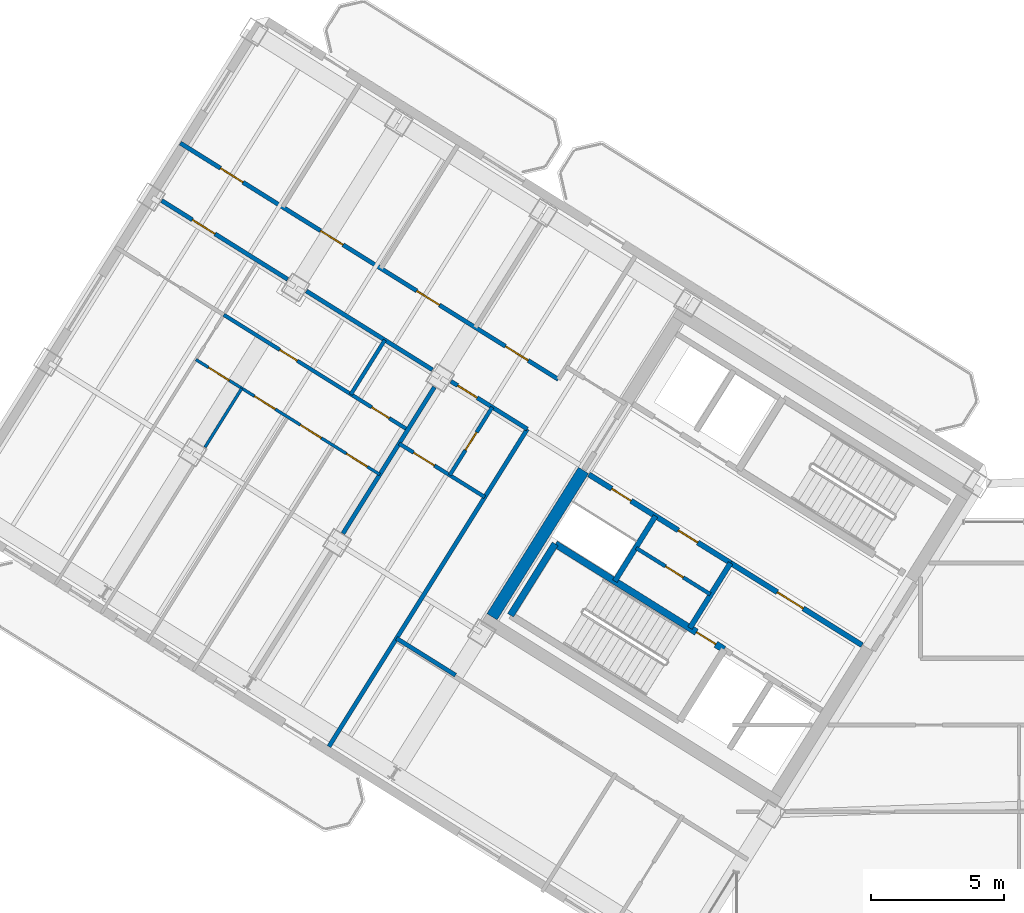
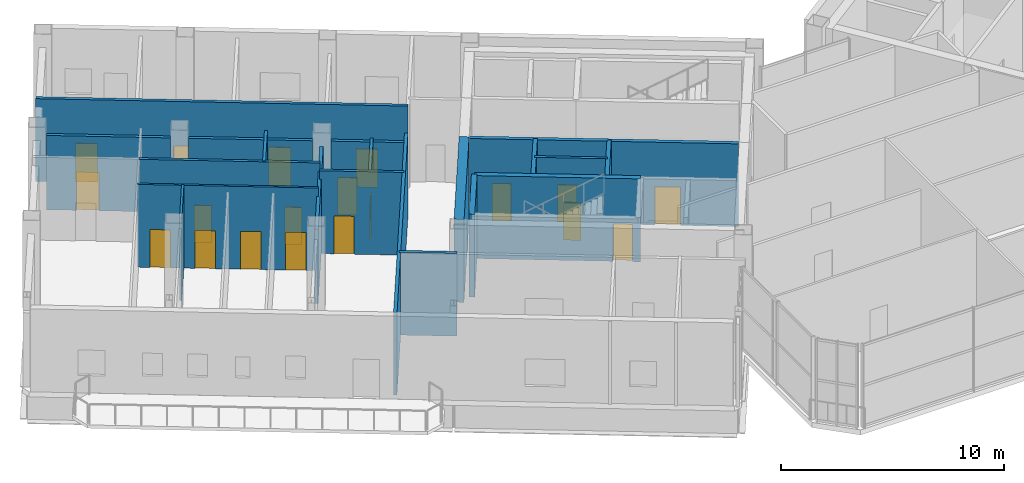
# One storey, part 17 of 26: 21 walls, 19 doors, 19 openings.
"""IFC4 building model written with IfcOpenShell, lengths in metres."""

import ifcopenshell
import ifcopenshell.guid

model = None  # the IFC model being written
_history = None  # IfcOwnerHistory: only IFC2X3 demands one
_inside = {}  # id of a spatial element -> (the spatial element, [elements in it])
_under = {}  # id of a project, library or spatial element -> (it, [spatial elements below it])
_declared = {}  # id of a project -> (the project, [libraries it declares])
_typed = {}  # id of a type object -> (the type object, [elements of that type])
_made_of = {}  # id of a material, layer set ... -> (it, [elements and type objects made of it])


def new_model(schema):
    """Start an empty IFC model of exactly this schema.

    Asked for "IFC4X3", IfcOpenShell would pick the latest addendum, in which some entities
    have other attributes; the version numbers below select the first issue.
    IFC2X3 requires an IfcOwnerHistory on every rooted entity: one is made here for all.
    """
    global model, _history
    if schema == "IFC4X3":
        model = ifcopenshell.file(schema_version=(4, 3, 0, 0))
    else:
        model = ifcopenshell.file(schema=schema)
    _inside.clear()
    _under.clear()
    _declared.clear()
    _typed.clear()
    _made_of.clear()
    _history = None
    if model.schema == "IFC2X3":
        org = make("IfcOrganization", Name="unknown")
        user = make(
            "IfcPersonAndOrganization",
            ThePerson=make("IfcPerson", FamilyName="unknown"),
            TheOrganization=org,
        )
        app = make(
            "IfcApplication",
            ApplicationDeveloper=org,
            Version="unknown",
            ApplicationFullName="unknown",
            ApplicationIdentifier="unknown",
        )
        _history = make(
            "IfcOwnerHistory",
            OwningUser=user,
            OwningApplication=app,
            ChangeAction="ADDED",
            CreationDate=0,
        )
    return model


def make(cls, **values):
    """One entity of the class cls with the attributes given. An attribute that is None is left unset."""
    return model.create_entity(
        cls, **{name: value for name, value in values.items() if value is not None}
    )


def rooted(cls, **values):
    """An entity with a GlobalId (a new one), such as an element, a storey or a relation."""
    return make(cls, GlobalId=ifcopenshell.guid.new(), OwnerHistory=_history, **values)


def si_unit(unit_type, name, prefix=None):
    """IfcSIUnit, for example si_unit("LENGTHUNIT", "METRE", prefix="MILLI")."""
    return make("IfcSIUnit", UnitType=unit_type, Prefix=prefix, Name=name)


def assignment(units):
    """IfcUnitAssignment: the units of a project."""
    return None if units is None else make("IfcUnitAssignment", Units=units)


def point(xyz):
    """IfcCartesianPoint."""
    return None if xyz is None else make("IfcCartesianPoint", Coordinates=xyz)


def direction(xyz):
    """IfcDirection."""
    return None if xyz is None else make("IfcDirection", DirectionRatios=xyz)


def frame(location, z_axis=None, x_axis=None):
    """IfcAxis2Placement3D, a coordinate frame: its origin and axes. An axis left out is left unset."""
    return make(
        "IfcAxis2Placement3D",
        Location=point(location),
        Axis=direction(z_axis),
        RefDirection=direction(x_axis),
    )


def frame_2d(location, x_axis=None):
    """IfcAxis2Placement2D, a coordinate frame in the plane: its origin and x axis."""
    return make(
        "IfcAxis2Placement2D", Location=point(location), RefDirection=direction(x_axis)
    )


def origin():
    """The frame at (0, 0, 0) with its axes left unset."""
    return frame((0.0, 0.0, 0.0))


def place(relative_to, where):
    """IfcLocalPlacement: puts the frame where relative to a parent placement (None: the world)."""
    return make(
        "IfcLocalPlacement", PlacementRelTo=relative_to, RelativePlacement=where
    )


def context(
    kind, dimensions, precision=None, world=None, true_north=None, identifier=None
):
    """IfcGeometricRepresentationContext, for example the 3D "Model" context."""
    return make(
        "IfcGeometricRepresentationContext",
        ContextIdentifier=identifier,
        ContextType=kind,
        CoordinateSpaceDimension=dimensions,
        Precision=precision,
        WorldCoordinateSystem=world,
        TrueNorth=true_north,
    )


def subcontext(parent, identifier, kind, view, scale=None):
    """IfcGeometricRepresentationSubContext, for example "Body" below "Model"."""
    return make(
        "IfcGeometricRepresentationSubContext",
        ContextIdentifier=identifier,
        ContextType=kind,
        ParentContext=parent,
        TargetScale=scale,
        TargetView=view,
    )


def project(units=None, contexts=None):
    """IfcProject with its units and contexts."""
    return rooted(
        "IfcProject",
        Name="project",
        RepresentationContexts=contexts,
        UnitsInContext=assignment(units),
    )


def spatial(cls, under=None, at=None, **own):
    """A site, building, storey or space (cls), placed at a placement, below another one or the project."""
    s = rooted(cls, ObjectPlacement=at, **own)
    if under is not None:
        _under.setdefault(under.id(), (under, []))[1].append(s)
    return s


def profile(cls, at=None, kind="AREA", **sizes):
    """A parametric profile (cls). Its sizes go by their IFC names, for example OverallWidth=200.0."""
    return make(cls, ProfileType=kind, Position=at, **sizes)


def rectangle(**sizes):
    """IfcRectangleProfileDef."""
    return profile("IfcRectangleProfileDef", **sizes)


def extrude(swept, where, along, depth):
    """IfcExtrudedAreaSolid: the profile swept, set in the frame where, extruded along a direction by depth."""
    return make(
        "IfcExtrudedAreaSolid",
        SweptArea=swept,
        Position=where,
        ExtrudedDirection=direction(along),
        Depth=depth,
    )


def shape(context_of_items, identifier, shape_type, items):
    """IfcShapeRepresentation: the items that make up one representation, for example the "Body"."""
    return make(
        "IfcShapeRepresentation",
        ContextOfItems=context_of_items,
        RepresentationIdentifier=identifier,
        RepresentationType=shape_type,
        Items=items,
    )


def source(mapping_origin, context_of_items, identifier, shape_type, items):
    """IfcRepresentationMap: a shape defined once, which mapped items show again and again."""
    return make(
        "IfcRepresentationMap",
        MappingOrigin=mapping_origin,
        MappedRepresentation=shape(context_of_items, identifier, shape_type, items),
    )


def transform(
    local_origin,
    x_axis=None,
    y_axis=None,
    z_axis=None,
    scale=None,
    scale2=None,
    scale3=None,
    uniform=True,
):
    """IfcCartesianTransformationOperator3D, or its non-uniform kind. x_axis, y_axis, z_axis: its Axis1, 2, 3."""
    if uniform:
        return make(
            "IfcCartesianTransformationOperator3D",
            Axis1=direction(x_axis),
            Axis2=direction(y_axis),
            LocalOrigin=point(local_origin),
            Scale=scale,
            Axis3=direction(z_axis),
        )
    return make(
        "IfcCartesianTransformationOperator3DnonUniform",
        Axis1=direction(x_axis),
        Axis2=direction(y_axis),
        LocalOrigin=point(local_origin),
        Scale=scale,
        Axis3=direction(z_axis),
        Scale2=scale2,
        Scale3=scale3,
    )


def mapped(mapping_source, mapping_target):
    """IfcMappedItem: shows the shape of a source again, moved by a transform."""
    return make(
        "IfcMappedItem", MappingSource=mapping_source, MappingTarget=mapping_target
    )


def material(Name=None, Category=None):
    """IfcMaterial."""
    return make("IfcMaterial", Name=Name, Category=Category)


def layer(
    of_material, thickness, ventilated=None, Name=None, Category=None, Priority=None
):
    """IfcMaterialLayer: one layer of a wall or slab, of a material (None: an air gap)."""
    return make(
        "IfcMaterialLayer",
        Material=of_material,
        LayerThickness=thickness,
        IsVentilated=ventilated,
        Name=Name,
        Category=Category,
        Priority=Priority,
    )


def layer_set(layers, Name=None):
    """IfcMaterialLayerSet."""
    return make("IfcMaterialLayerSet", MaterialLayers=layers, LayerSetName=Name)


def made_of(thing, what):
    """Note that an element or type object is made of a material, layer set ...; save() writes the relation."""
    if what is not None:
        _made_of.setdefault(what.id(), (what, []))[1].append(thing)
    return thing


def type_object(cls, material=None, **own):
    """A type object (cls), such as IfcWallType, which elements share."""
    return made_of(rooted(cls, **own), material)


def element(
    cls,
    number,
    at=None,
    inside=None,
    cuts=None,
    type_object=None,
    material=None,
    context=None,
    identifier="Body",
    shape_type=None,
    held_by="IfcProductDefinitionShape",
    body=None,
    shapes=None,
    **own,
):
    """One element of the class cls, such as IfcWall. Its Tag is "e" and its number.

    at: its placement. inside: the storey or other place that contains it. cuts: it is an
    opening in that element (IfcRelVoidsElement). A single representation is given by context,
    identifier, shape_type and body (its items); several are given by shapes. held_by: the class
    of the entity that holds the representations. save() writes the other relations.
    """
    e = rooted(cls, Tag="e%d" % number, ObjectPlacement=at, **own)
    if body is not None:
        shapes = [shape(context, identifier, shape_type, body)]
    if shapes is not None:
        e.Representation = make(held_by, Representations=shapes)
    if inside is not None:
        _inside.setdefault(inside.id(), (inside, []))[1].append(e)
    if cuts is not None:
        rooted(
            "IfcRelVoidsElement", RelatingBuildingElement=cuts, RelatedOpeningElement=e
        )
    if type_object is not None:
        _typed.setdefault(type_object.id(), (type_object, []))[1].append(e)
    return made_of(e, material)


def fill(opening, filler):
    """IfcRelFillsElement: the door or window that sits in an opening."""
    return rooted(
        "IfcRelFillsElement",
        RelatingOpeningElement=opening,
        RelatedBuildingElement=filler,
    )


def aggregate(whole, parts):
    """IfcRelAggregates: a whole, such as a stair, and the parts it consists of."""
    return rooted("IfcRelAggregates", RelatingObject=whole, RelatedObjects=parts)


def save(model, path):
    """Write the relations noted so far, then the file.

    IfcRelAggregates (storeys below a building ...), IfcRelContainedInSpatialStructure (elements
    in a storey), IfcRelDefinesByType, IfcRelAssociatesMaterial and IfcRelDeclares: one each for
    every whole, place, type object, material and project.
    """
    for whole, parts in _under.values():
        aggregate(whole, parts)
    for where, things in _inside.values():
        rooted(
            "IfcRelContainedInSpatialStructure",
            RelatedElements=things,
            RelatingStructure=where,
        )
    for kind, things in _typed.values():
        rooted("IfcRelDefinesByType", RelatedObjects=things, RelatingType=kind)
    for what, things in _made_of.values():
        rooted("IfcRelAssociatesMaterial", RelatedObjects=things, RelatingMaterial=what)
    for by, libraries in _declared.values():
        rooted("IfcRelDeclares", RelatingContext=by, RelatedDefinitions=libraries)
    model.write(path)


model = new_model("IFC4")

# Units and contexts
model_context = context("Model", 3, precision=1e-05, world=origin(), true_north=direction((0.0, 1.0)))
body_context = subcontext(model_context, "Body", "Model", "MODEL_VIEW")
ifc_project = project(units=[si_unit("LENGTHUNIT", "METRE"), si_unit("AREAUNIT", "SQUARE_METRE"), si_unit("VOLUMEUNIT", "CUBIC_METRE"), si_unit("PLANEANGLEUNIT", "RADIAN"), si_unit("MASSUNIT", "GRAM", prefix="KILO")], contexts=[model_context])

# Site, building, storey
site_placement = place(None, origin())
site = spatial("IfcSite", under=ifc_project, at=site_placement, CompositionType="ELEMENT")
building_placement = place(site_placement, origin())
building = spatial("IfcBuilding", under=site, at=building_placement, Name="Tlacorven Tower", CompositionType="ELEMENT")
storey_placement = place(building_placement, frame((0.0, 0.0, 233.699951171875)))
storey = spatial("IfcBuildingStorey", under=building, at=storey_placement, Name="L59", CompositionType="ELEMENT", Elevation=233.699951171875)

# Walls
ifc_material_1 = material(Name="Concrete C50/60", Category="concrete")
ifc_layer_1 = layer(ifc_material_1, 0.449951171875)
ifc_layer_set_1 = layer_set([ifc_layer_1], Name="Concrete C50/60")
wall_type_1 = type_object("IfcWallType", Name="WL-COR-450", PredefinedType="SHEAR", material=ifc_layer_set_1)
wall_1_placement = place(storey_placement, frame((26.006591796875, 24.975830078125, 0.0), z_axis=(0.0, 0.0, 1.0), x_axis=(-0.529931155655, -0.848040665456, 0.0)))
element("IfcWall", 1, at=wall_1_placement, inside=storey, type_object=wall_type_1, Name="L59 W core end wall E2.2", PredefinedType="SHEAR", context=body_context, shape_type="SweptSolid", body=[
    extrude(rectangle(XDim=6.47509765625, YDim=0.449951171875, at=frame_2d((3.237548828125, 0.0))), origin(), (0.0, 0.0, 1.0), 4.550048828125),
])
ifc_material_2 = material(Name="Gypsum plasterboard acoustic partition", Category="gypsum")
ifc_layer_2 = layer(ifc_material_2, 0.159912109375)
ifc_layer_set_2 = layer_set([ifc_layer_2], Name="Gypsum plasterboard acoustic partition")
wall_type_2 = type_object("IfcWallType", Name="WL-DEM-160", PredefinedType="PARTITIONING", material=ifc_layer_set_2)
wall_2_placement = place(storey_placement, frame((21.20556640625, 17.29248046875, 0.0), z_axis=(0.0, 0.0, 1.0), x_axis=(-0.848050851465, 0.529914854792, 0.0)))
element("IfcWall", 2, at=wall_2_placement, inside=storey, type_object=wall_type_2, Name="L59 partition 40", PredefinedType="PARTITIONING", context=body_context, shape_type="SweptSolid", body=[
    extrude(rectangle(XDim=2.60986328125, YDim=0.159912109375, at=frame_2d((1.304931640625, 0.0))), origin(), (0.0, 0.0, 1.0), 4.5400390625),
])
wall_3_placement = place(storey_placement, frame((23.899169921875, 26.528564453125, 0.0), z_axis=(0.0, 0.0, 1.0), x_axis=(-0.529917716469, -0.848049063305, 0.0)))
element("IfcWall", 3, at=wall_3_placement, inside=storey, type_object=wall_type_2, Name="L59 partition 42", PredefinedType="PARTITIONING", context=body_context, shape_type="SweptSolid", body=[
    extrude(rectangle(XDim=14.050048828125, YDim=0.159912109375, at=frame_2d((7.02490234375, 0.0))), origin(), (0.0, 0.0, 1.0), 4.5400390625),
])

# Wall, openings, doors
wall_4_placement = place(storey_placement, frame((25.06494140625, 28.394287109375, 0.0), z_axis=(0.0, 0.0, 1.0), x_axis=(-0.848048310262, 0.529918921593, 0.0)))
wall_4 = element("IfcWall", 4, at=wall_4_placement, inside=storey, type_object=wall_type_2, Name="L59 Wing W Corridor South Wall", PredefinedType="PARTITIONING", context=body_context, shape_type="SweptSolid", body=[
    extrude(rectangle(XDim=16.72998046875, YDim=0.159912109375, at=frame_2d((8.364990234375, 0.0))), origin(), (0.0, 0.0, 1.0), 4.5400390625),
])
opening_1_placement = place(wall_4_placement, frame((1.337890625, 0.0, 0.0)))
opening_1 = element("IfcOpeningElement", 5, at=opening_1_placement, cuts=wall_4, Name="Opening D11", PredefinedType="OPENING", context=body_context, shape_type="SweptSolid", body=[
    extrude(rectangle(XDim=1.0, YDim=2.10009765625, at=frame_2d((0.5, 1.050048828125))), frame((0.0, 0.08984375, 0.0), z_axis=(0.0, -1.0, 0.0), x_axis=(1.0, 0.0, 0.0)), (0.0, 0.0, 1.0), 0.179931640625),
])
opening_2_placement = place(wall_4_placement, frame((5.264892578125, 0.0, 0.0)))
opening_2 = element("IfcOpeningElement", 6, at=opening_2_placement, cuts=wall_4, Name="Opening D11", PredefinedType="OPENING", context=body_context, shape_type="SweptSolid", body=[
    extrude(rectangle(XDim=1.0, YDim=2.10009765625, at=frame_2d((0.5, 1.050048828125))), frame((0.0, 0.08984375, 0.0), z_axis=(0.0, -1.0, 0.0), x_axis=(1.0, 0.0, 0.0)), (0.0, 0.0, 1.0), 0.179931640625),
])
opening_3_placement = place(wall_4_placement, frame((9.52587890625, 0.0, 0.0)))
opening_3 = element("IfcOpeningElement", 7, at=opening_3_placement, cuts=wall_4, Name="Opening D11", PredefinedType="OPENING", context=body_context, shape_type="SweptSolid", body=[
    extrude(rectangle(XDim=1.0, YDim=2.10009765625, at=frame_2d((0.5, 1.050048828125))), frame((0.0, 0.08984375, 0.0), z_axis=(0.0, -1.0, 0.0), x_axis=(1.0, 0.0, 0.0)), (0.0, 0.0, 1.0), 0.179931640625),
])
opening_4_placement = place(wall_4_placement, frame((13.9541015625, 0.0, 0.0)))
opening_4 = element("IfcOpeningElement", 8, at=opening_4_placement, cuts=wall_4, Name="Opening D11", PredefinedType="OPENING", context=body_context, shape_type="SweptSolid", body=[
    extrude(rectangle(XDim=1.0, YDim=2.10009765625, at=frame_2d((0.5, 1.050048828125))), frame((0.0, 0.08984375, 0.0), z_axis=(0.0, -1.0, 0.0), x_axis=(1.0, 0.0, 0.0)), (0.0, 0.0, 1.0), 0.179931640625),
])
ifc_material_3 = material(Name="Fire-rated steel door assembly", Category="steel")
door_type_1 = type_object("IfcDoorType", Name="DR-FLT-FD60-1000", OperationType="NOTDEFINED", PredefinedType="DOOR", material=ifc_material_3)
shared_shape_1 = source(origin(), body_context, "Body", "SweptSolid", [
    extrude(rectangle(XDim=1.0, YDim=2.10009765625, at=frame_2d((0.5, 1.050048828125))), frame((0.0, 0.02490234375, 0.0), z_axis=(0.0, -1.0, 0.0), x_axis=(1.0, 0.0, 0.0)), (0.0, 0.0, 1.0), 0.050048828125),
])
door_1_placement = place(opening_1_placement, frame((1.0, 0.0, 0.0), z_axis=(0.0, 0.0, 1.0), x_axis=(-1.0, 0.0, 0.0)))
door_1 = element("IfcDoor", 9, at=door_1_placement, inside=storey, type_object=door_type_1, Name="L59 door 037", OperationType="SINGLE_SWING_LEFT", OverallHeight=2.10009765625, OverallWidth=1.0, PredefinedType="DOOR", context=body_context, shape_type="MappedRepresentation", body=[
    mapped(shared_shape_1, transform((0.0, 0.0, 0.0), scale=1.0)),
])
fill(opening_1, door_1)
door_2_placement = place(opening_2_placement, frame((1.0, 0.0, 0.0), z_axis=(0.0, 0.0, 1.0), x_axis=(-1.0, 0.0, 0.0)))
door_2 = element("IfcDoor", 10, at=door_2_placement, inside=storey, type_object=door_type_1, Name="L59 door 038", OperationType="SINGLE_SWING_RIGHT", OverallHeight=2.10009765625, OverallWidth=1.0, PredefinedType="DOOR", context=body_context, shape_type="MappedRepresentation", body=[
    mapped(shared_shape_1, transform((0.0, 0.0, 0.0), scale=1.0)),
])
fill(opening_2, door_2)
door_3_placement = place(opening_3_placement, frame((1.0, 0.0, 0.0), z_axis=(0.0, 0.0, 1.0), x_axis=(-1.0, 0.0, 0.0)))
door_3 = element("IfcDoor", 11, at=door_3_placement, inside=storey, type_object=door_type_1, Name="L59 door 039", OperationType="SINGLE_SWING_LEFT", OverallHeight=2.10009765625, OverallWidth=1.0, PredefinedType="DOOR", context=body_context, shape_type="MappedRepresentation", body=[
    mapped(shared_shape_1, transform((0.0, 0.0, 0.0), scale=1.0)),
])
fill(opening_3, door_3)
door_4_placement = place(opening_4_placement, frame((1.0, 0.0, 0.0), z_axis=(0.0, 0.0, 1.0), x_axis=(-1.0, 0.0, 0.0)))
door_4 = element("IfcDoor", 12, at=door_4_placement, inside=storey, type_object=door_type_1, Name="L59 door 040", OperationType="SINGLE_SWING_RIGHT", OverallHeight=2.10009765625, OverallWidth=1.0, PredefinedType="DOOR", context=body_context, shape_type="MappedRepresentation", body=[
    mapped(shared_shape_1, transform((0.0, 0.0, 0.0), scale=1.0)),
])
fill(opening_4, door_4)

# Wall, opening, door
wall_5_placement = place(storey_placement, frame((23.899169921875, 26.528564453125, 0.0), z_axis=(0.0, 0.0, 1.0), x_axis=(-0.848055143312, 0.529907986259, 0.0)))
wall_5 = element("IfcWall", 13, at=wall_5_placement, inside=storey, type_object=wall_type_2, Name="L59 Wing W Corridor North Wall", PredefinedType="PARTITIONING", context=body_context, shape_type="SweptSolid", body=[
    extrude(rectangle(XDim=3.3779296875, YDim=0.159912109375, at=frame_2d((1.68896484375, 0.0))), origin(), (0.0, 0.0, 1.0), 4.074951171875),
])
opening_5_placement = place(wall_5_placement, frame((2.219970703125, 0.0, 0.0)))
opening_5 = element("IfcOpeningElement", 14, at=opening_5_placement, cuts=wall_5, Name="Opening D19", PredefinedType="OPENING", context=body_context, shape_type="SweptSolid", body=[
    extrude(rectangle(XDim=0.860107421875, YDim=2.050048828125, at=frame_2d((0.43017578125, 1.02490234375))), frame((0.0, 0.08984375, 0.0), z_axis=(0.0, -1.0, 0.0), x_axis=(1.0, 0.0, 0.0)), (0.0, 0.0, 1.0), 0.179931640625),
])
door_type_2 = type_object("IfcDoorType", Name="DR-RSR-FD60-0860", OperationType="NOTDEFINED", PredefinedType="DOOR", material=ifc_material_3)
shared_shape_2 = source(origin(), body_context, "Body", "SweptSolid", [
    extrude(rectangle(XDim=0.860107421875, YDim=2.050048828125, at=frame_2d((0.43017578125, 1.02490234375))), frame((0.0, 0.02490234375, 0.0), z_axis=(0.0, -1.0, 0.0), x_axis=(1.0, 0.0, 0.0)), (0.0, 0.0, 1.0), 0.050048828125),
])
door_5_placement = place(opening_5_placement, origin())
door_5 = element("IfcDoor", 15, at=door_5_placement, inside=storey, type_object=door_type_2, Name="L59 door 024", OperationType="SINGLE_SWING_LEFT", OverallHeight=2.050048828125, OverallWidth=0.860107421875, PredefinedType="DOOR", context=body_context, shape_type="MappedRepresentation", body=[
    mapped(shared_shape_2, transform((0.0, 0.0, 0.0), scale=1.0)),
])
fill(opening_5, door_5)

# Wall
wall_6_placement = place(storey_placement, frame((20.335693359375, 28.755126953125, 0.0), z_axis=(0.0, 0.0, 1.0), x_axis=(-0.848049955116, 0.529916289265, 0.0)))
element("IfcWall", 16, at=wall_6_placement, inside=storey, type_object=wall_type_2, Name="L59 Wing W Corridor North Wall", PredefinedType="PARTITIONING", context=body_context, shape_type="SweptSolid", body=[
    extrude(rectangle(XDim=5.575927734375, YDim=0.159912109375, at=frame_2d((2.7880859375, 0.0))), origin(), (0.0, 0.0, 1.0), 4.074951171875),
])

# Wall, opening, door
wall_7_placement = place(storey_placement, frame((14.908203125, 32.146728515625, 0.0), z_axis=(0.0, 0.0, 1.0), x_axis=(-0.848049955116, 0.529916289265, 0.0)))
wall_7 = element("IfcWall", 17, at=wall_7_placement, inside=storey, type_object=wall_type_2, Name="L59 Wing W Corridor North Wall", PredefinedType="PARTITIONING", context=body_context, shape_type="SweptSolid", body=[
    extrude(rectangle(XDim=5.575927734375, YDim=0.159912109375, at=frame_2d((2.7880859375, 0.0))), origin(), (0.0, 0.0, 1.0), 4.074951171875),
])
opening_6_placement = place(wall_7_placement, frame((3.218017578125, 0.0, 0.0)))
opening_6 = element("IfcOpeningElement", 18, at=opening_6_placement, cuts=wall_7, Name="Opening D11", PredefinedType="OPENING", context=body_context, shape_type="SweptSolid", body=[
    extrude(rectangle(XDim=1.0, YDim=2.10009765625, at=frame_2d((0.5, 1.050048828125))), frame((0.0, 0.08984375, 0.0), z_axis=(0.0, -1.0, 0.0), x_axis=(1.0, 0.0, 0.0)), (0.0, 0.0, 1.0), 0.179931640625),
])
door_6_placement = place(opening_6_placement, origin())
door_6 = element("IfcDoor", 19, at=door_6_placement, inside=storey, type_object=door_type_1, Name="L59 door 028", OperationType="SINGLE_SWING_RIGHT", OverallHeight=2.10009765625, OverallWidth=1.0, PredefinedType="DOOR", context=body_context, shape_type="MappedRepresentation", body=[
    mapped(shared_shape_1, transform((0.0, 0.0, 0.0), scale=1.0)),
])
fill(opening_6, door_6)

# Wall
wall_8_placement = place(storey_placement, frame((20.413818359375, 28.102783203125, 0.0), z_axis=(0.0, 0.0, 1.0), x_axis=(-0.529934553702, -0.848038542045, 0.0)))
element("IfcWall", 20, at=wall_8_placement, inside=storey, type_object=wall_type_2, Name="L59 WN Demising Wall 1", PredefinedType="PARTITIONING", context=body_context, shape_type="SweptSolid", body=[
    extrude(rectangle(XDim=6.47607421875, YDim=0.159912109375, at=frame_2d((3.238037109375, 0.0))), origin(), (0.0, 0.0, 1.0), 4.074951171875),
])

# Wall, openings, doors
ifc_material_4 = material(Name="Gypsum plasterboard partition", Category="gypsum")
ifc_layer_3 = layer(ifc_material_4, 0.110107421875)
ifc_layer_set_3 = layer_set([ifc_layer_3], Name="Gypsum plasterboard partition")
wall_type_3 = type_object("IfcWallType", Name="WL-INT-110", PredefinedType="PARTITIONING", material=ifc_layer_set_3)
wall_9_placement = place(storey_placement, frame((18.364013671875, 24.822509765625, 0.0), z_axis=(0.0, 0.0, 1.0), x_axis=(-0.848050534792, 0.529915361581, 0.0)))
wall_9 = element("IfcWall", 21, at=wall_9_placement, inside=storey, type_object=wall_type_3, Name="L59 partition 54", PredefinedType="PARTITIONING", context=body_context, shape_type="SweptSolid", body=[
    extrude(rectangle(XDim=8.139892578125, YDim=0.110107421875, at=frame_2d((4.06982421875, 0.0))), origin(), (0.0, 0.0, 1.0), 4.5400390625),
])
opening_7_placement = place(wall_9_placement, frame((0.5576171875, 0.0, 0.0)))
opening_7 = element("IfcOpeningElement", 22, at=opening_7_placement, cuts=wall_9, Name="Opening D12", PredefinedType="OPENING", context=body_context, shape_type="SweptSolid", body=[
    extrude(rectangle(XDim=0.919921875, YDim=2.080078125, at=frame_2d((0.4599609375, 1.0400390625))), frame((0.0, 0.06494140625, 0.0), z_axis=(0.0, -1.0, 0.0), x_axis=(1.0, 0.0, 0.0)), (0.0, 0.0, 1.0), 0.130126953125),
])
opening_8_placement = place(wall_9_placement, frame((2.592529296875, 0.0, 0.0)))
opening_8 = element("IfcOpeningElement", 23, at=opening_8_placement, cuts=wall_9, Name="Opening D12", PredefinedType="OPENING", context=body_context, shape_type="SweptSolid", body=[
    extrude(rectangle(XDim=0.919921875, YDim=2.080078125, at=frame_2d((0.4599609375, 1.0400390625))), frame((0.0, 0.06494140625, 0.0), z_axis=(0.0, -1.0, 0.0), x_axis=(1.0, 0.0, 0.0)), (0.0, 0.0, 1.0), 0.130126953125),
])
opening_9_placement = place(wall_9_placement, frame((4.62744140625, 0.0, 0.0)))
opening_9 = element("IfcOpeningElement", 24, at=opening_9_placement, cuts=wall_9, Name="Opening D12", PredefinedType="OPENING", context=body_context, shape_type="SweptSolid", body=[
    extrude(rectangle(XDim=0.919921875, YDim=2.080078125, at=frame_2d((0.4599609375, 1.0400390625))), frame((0.0, 0.06494140625, 0.0), z_axis=(0.0, -1.0, 0.0), x_axis=(1.0, 0.0, 0.0)), (0.0, 0.0, 1.0), 0.130126953125),
])
opening_10_placement = place(wall_9_placement, frame((6.66259765625, 0.0, 0.0)))
opening_10 = element("IfcOpeningElement", 25, at=opening_10_placement, cuts=wall_9, Name="Opening D12", PredefinedType="OPENING", context=body_context, shape_type="SweptSolid", body=[
    extrude(rectangle(XDim=0.919921875, YDim=2.080078125, at=frame_2d((0.4599609375, 1.0400390625))), frame((0.0, 0.06494140625, 0.0), z_axis=(0.0, -1.0, 0.0), x_axis=(1.0, 0.0, 0.0)), (0.0, 0.0, 1.0), 0.130126953125),
])
ifc_material_5 = material(Name="Powder-coated aluminium and timber door", Category="wood")
door_type_3 = type_object("IfcDoorType", Name="DR-INT-ROOM-0920", OperationType="NOTDEFINED", PredefinedType="DOOR", material=ifc_material_5)
shared_shape_3 = source(origin(), body_context, "Body", "SweptSolid", [
    extrude(rectangle(XDim=0.919921875, YDim=2.080078125, at=frame_2d((0.4599609375, 1.0400390625))), frame((0.0, 0.02490234375, 0.0), z_axis=(0.0, -1.0, 0.0), x_axis=(1.0, 0.0, 0.0)), (0.0, 0.0, 1.0), 0.050048828125),
])
door_7_placement = place(opening_7_placement, origin())
door_7 = element("IfcDoor", 26, at=door_7_placement, inside=storey, type_object=door_type_3, Name="L59 door 033", OperationType="SINGLE_SWING_LEFT", OverallHeight=2.080078125, OverallWidth=0.919921875, PredefinedType="DOOR", context=body_context, shape_type="MappedRepresentation", body=[
    mapped(shared_shape_3, transform((0.0, 0.0, 0.0), scale=1.0)),
])
fill(opening_7, door_7)
door_8_placement = place(opening_8_placement, origin())
door_8 = element("IfcDoor", 27, at=door_8_placement, inside=storey, type_object=door_type_3, Name="L59 door 034", OperationType="SINGLE_SWING_RIGHT", OverallHeight=2.080078125, OverallWidth=0.919921875, PredefinedType="DOOR", context=body_context, shape_type="MappedRepresentation", body=[
    mapped(shared_shape_3, transform((0.0, 0.0, 0.0), scale=1.0)),
])
fill(opening_8, door_8)
door_9_placement = place(opening_9_placement, origin())
door_9 = element("IfcDoor", 28, at=door_9_placement, inside=storey, type_object=door_type_3, Name="L59 door 035", OperationType="SINGLE_SWING_LEFT", OverallHeight=2.080078125, OverallWidth=0.919921875, PredefinedType="DOOR", context=body_context, shape_type="MappedRepresentation", body=[
    mapped(shared_shape_3, transform((0.0, 0.0, 0.0), scale=1.0)),
])
fill(opening_9, door_9)
door_10_placement = place(opening_10_placement, origin())
door_10 = element("IfcDoor", 29, at=door_10_placement, inside=storey, type_object=door_type_3, Name="L59 door 036", OperationType="SINGLE_SWING_RIGHT", OverallHeight=2.080078125, OverallWidth=0.919921875, PredefinedType="DOOR", context=body_context, shape_type="MappedRepresentation", body=[
    mapped(shared_shape_3, transform((0.0, 0.0, 0.0), scale=1.0)),
])
fill(opening_10, door_10)

# Wall
wall_10_placement = place(storey_placement, frame((13.1865234375, 28.0576171875, 0.0), z_axis=(0.0, 0.0, 1.0), x_axis=(-0.529872708847, -0.848077185414, 0.0)))
element("IfcWall", 30, at=wall_10_placement, inside=storey, type_object=wall_type_3, Name="L59 partition 57", PredefinedType="PARTITIONING", context=body_context, shape_type="SweptSolid", body=[
    extrude(rectangle(XDim=2.60791015625, YDim=0.110107421875, at=frame_2d((1.303955078125, 0.0))), origin(), (0.0, 0.0, 1.0), 4.5400390625),
])

# Wall, opening, door
ifc_material_6 = material(Name="Moisture-resistant gypsum plumbing wall", Category="gypsum")
ifc_layer_4 = layer(ifc_material_6, 0.139892578125)
ifc_layer_set_4 = layer_set([ifc_layer_4], Name="Moisture-resistant gypsum plumbing wall")
wall_type_4 = type_object("IfcWallType", Name="WL-PLM-140", PredefinedType="PLUMBINGWALL", material=ifc_layer_set_4)
wall_11_placement = place(storey_placement, frame((30.766357421875, 20.3271484375, 0.0), z_axis=(0.0, 0.0, 1.0), x_axis=(-0.848052663127, 0.529911955482, 0.0)))
wall_11 = element("IfcWall", 31, at=wall_11_placement, inside=storey, type_object=wall_type_4, Name="L59 partition 18", PredefinedType="PLUMBINGWALL", context=body_context, shape_type="SweptSolid", body=[
    extrude(rectangle(XDim=3.27978515625, YDim=0.139892578125, at=frame_2d((1.639892578125, 0.0))), origin(), (0.0, 0.0, 1.0), 4.5400390625),
])
opening_11_placement = place(wall_11_placement, frame((1.199951171875, 0.0, 0.0)))
opening_11 = element("IfcOpeningElement", 32, at=opening_11_placement, cuts=wall_11, Name="Opening D22", PredefinedType="OPENING", context=body_context, shape_type="SweptSolid", body=[
    extrude(rectangle(XDim=0.780029296875, YDim=2.050048828125, at=frame_2d((0.39013671875, 1.02490234375))), frame((0.0, 0.080078125, 0.0), z_axis=(0.0, -1.0, 0.0), x_axis=(1.0, 0.0, 0.0)), (0.0, 0.0, 1.0), 0.159912109375),
])
door_type_4 = type_object("IfcDoorType", Name="DR-INT-WET-0780", OperationType="NOTDEFINED", PredefinedType="DOOR", material=ifc_material_5)
shared_shape_4 = source(origin(), body_context, "Body", "SweptSolid", [
    extrude(rectangle(XDim=0.780029296875, YDim=2.050048828125, at=frame_2d((0.39013671875, 1.02490234375))), frame((0.0, 0.02490234375, 0.0), z_axis=(0.0, -1.0, 0.0), x_axis=(1.0, 0.0, 0.0)), (0.0, 0.0, 1.0), 0.050048828125),
])
door_11_placement = place(opening_11_placement, origin())
door_11 = element("IfcDoor", 33, at=door_11_placement, inside=storey, type_object=door_type_4, Name="L59 door 010", OperationType="SINGLE_SWING_RIGHT", OverallHeight=2.050048828125, OverallWidth=0.780029296875, PredefinedType="DOOR", context=body_context, shape_type="MappedRepresentation", body=[
    mapped(shared_shape_4, transform((0.0, 0.0, 0.0), scale=1.0)),
])
fill(opening_11, door_11)

wall_12_placement = place(storey_placement, frame((22.303955078125, 23.975830078125, 0.0), z_axis=(0.0, 0.0, 1.0), x_axis=(-0.84803087207, 0.529946827537, 0.0)))
wall_12 = element("IfcWall", 34, at=wall_12_placement, inside=storey, type_object=wall_type_4, Name="L59 partition 47", PredefinedType="PLUMBINGWALL", context=body_context, shape_type="SweptSolid", body=[
    extrude(rectangle(XDim=3.7900390625, YDim=0.139892578125, at=frame_2d((1.89501953125, 0.0))), origin(), (0.0, 0.0, 1.0), 4.5400390625),
])
opening_12_placement = place(wall_12_placement, frame((2.22998046875, 0.0, 0.0)))
opening_12 = element("IfcOpeningElement", 35, at=opening_12_placement, cuts=wall_12, Name="Opening D12", PredefinedType="OPENING", context=body_context, shape_type="SweptSolid", body=[
    extrude(rectangle(XDim=0.919921875, YDim=2.080078125, at=frame_2d((0.4599609375, 1.0400390625))), frame((0.0, 0.080078125, 0.0), z_axis=(0.0, -1.0, 0.0), x_axis=(1.0, 0.0, 0.0)), (0.0, 0.0, 1.0), 0.159912109375),
])
door_12_placement = place(opening_12_placement, origin())
door_12 = element("IfcDoor", 36, at=door_12_placement, inside=storey, type_object=door_type_3, Name="L59 door 025", OperationType="SINGLE_SWING_LEFT", OverallHeight=2.080078125, OverallWidth=0.919921875, PredefinedType="DOOR", context=body_context, shape_type="MappedRepresentation", body=[
    mapped(shared_shape_3, transform((0.0, 0.0, 0.0), scale=1.0)),
])
fill(opening_12, door_12)

wall_13_placement = place(storey_placement, frame((22.584716796875, 27.349853515625, 0.0), z_axis=(0.0, 0.0, 1.0), x_axis=(-0.529977067289, -0.848011974059, 0.0)))
wall_13 = element("IfcWall", 37, at=wall_13_placement, inside=storey, type_object=wall_type_4, Name="L59 partition 48", PredefinedType="PLUMBINGWALL", context=body_context, shape_type="SweptSolid", body=[
    extrude(rectangle(XDim=3.010009765625, YDim=0.139892578125, at=frame_2d((1.5048828125, 0.0))), origin(), (0.0, 0.0, 1.0), 4.22509765625),
])
opening_13_placement = place(wall_13_placement, frame((1.114990234375, 0.0, 0.0)))
opening_13 = element("IfcOpeningElement", 38, at=opening_13_placement, cuts=wall_13, Name="Opening D22", PredefinedType="OPENING", context=body_context, shape_type="SweptSolid", body=[
    extrude(rectangle(XDim=0.780029296875, YDim=2.050048828125, at=frame_2d((0.39013671875, 1.02490234375))), frame((0.0, 0.080078125, 0.0), z_axis=(0.0, -1.0, 0.0), x_axis=(1.0, 0.0, 0.0)), (0.0, 0.0, 1.0), 0.159912109375),
])
door_13_placement = place(opening_13_placement, origin())
door_13 = element("IfcDoor", 39, at=door_13_placement, inside=storey, type_object=door_type_4, Name="L59 door 026", OperationType="SINGLE_SWING_RIGHT", OverallHeight=2.050048828125, OverallWidth=0.780029296875, PredefinedType="DOOR", context=body_context, shape_type="MappedRepresentation", body=[
    mapped(shared_shape_4, transform((0.0, 0.0, 0.0), scale=1.0)),
])
fill(opening_13, door_13)

# Wall, openings, doors
wall_14_placement = place(storey_placement, frame((19.413330078125, 26.50146484375, 0.0), z_axis=(0.0, 0.0, 1.0), x_axis=(-0.84804547861, 0.52992345316, 0.0)))
wall_14 = element("IfcWall", 40, at=wall_14_placement, inside=storey, type_object=wall_type_4, Name="L59 partition 52", PredefinedType="PLUMBINGWALL", context=body_context, shape_type="SweptSolid", body=[
    extrude(rectangle(XDim=8.140380859375, YDim=0.139892578125, at=frame_2d((4.0703125, 0.0))), origin(), (0.0, 0.0, 1.0), 4.5400390625),
])
opening_14_placement = place(wall_14_placement, frame((4.887451171875, 0.0, 0.0)))
opening_14 = element("IfcOpeningElement", 41, at=opening_14_placement, cuts=wall_14, Name="Opening D22", PredefinedType="OPENING", context=body_context, shape_type="SweptSolid", body=[
    extrude(rectangle(XDim=0.780029296875, YDim=2.050048828125, at=frame_2d((0.39013671875, 1.02490234375))), frame((0.0, 0.080078125, 0.0), z_axis=(0.0, -1.0, 0.0), x_axis=(1.0, 0.0, 0.0)), (0.0, 0.0, 1.0), 0.159912109375),
])
opening_15_placement = place(wall_14_placement, frame((0.8173828125, 0.0, 0.0)))
opening_15 = element("IfcOpeningElement", 42, at=opening_15_placement, cuts=wall_14, Name="Opening D22", PredefinedType="OPENING", context=body_context, shape_type="SweptSolid", body=[
    extrude(rectangle(XDim=0.780029296875, YDim=2.050048828125, at=frame_2d((0.39013671875, 1.02490234375))), frame((0.0, 0.080078125, 0.0), z_axis=(0.0, -1.0, 0.0), x_axis=(1.0, 0.0, 0.0)), (0.0, 0.0, 1.0), 0.159912109375),
])
door_14_placement = place(opening_14_placement, origin())
door_14 = element("IfcDoor", 43, at=door_14_placement, inside=storey, type_object=door_type_4, Name="L59 door 031", OperationType="SINGLE_SWING_LEFT", OverallHeight=2.050048828125, OverallWidth=0.780029296875, PredefinedType="DOOR", context=body_context, shape_type="MappedRepresentation", body=[
    mapped(shared_shape_4, transform((0.0, 0.0, 0.0), scale=1.0)),
])
fill(opening_14, door_14)
door_15_placement = place(opening_15_placement, origin())
door_15 = element("IfcDoor", 44, at=door_15_placement, inside=storey, type_object=door_type_4, Name="L59 door 032", OperationType="SINGLE_SWING_RIGHT", OverallHeight=2.050048828125, OverallWidth=0.780029296875, PredefinedType="DOOR", context=body_context, shape_type="MappedRepresentation", body=[
    mapped(shared_shape_4, transform((0.0, 0.0, 0.0), scale=1.0)),
])
fill(opening_15, door_15)

# Wall
wall_15_placement = place(storey_placement, frame((18.55224609375, 29.86962890625, 0.0), z_axis=(0.0, 0.0, 1.0), x_axis=(-0.529935194983, -0.848038141311, 0.0)))
element("IfcWall", 45, at=wall_15_placement, inside=storey, type_object=wall_type_4, Name="L59 partition 53", PredefinedType="PLUMBINGWALL", context=body_context, shape_type="SweptSolid", body=[
    extrude(rectangle(XDim=2.409912109375, YDim=0.139892578125, at=frame_2d((1.205078125, 0.0))), origin(), (0.0, 0.0, 1.0), 4.5400390625),
])

# Wall, opening, door
ifc_material_7 = material(Name="Concrete C40/50", Category="concrete")
ifc_layer_5 = layer(ifc_material_7, 0.199951171875)
ifc_layer_set_5 = layer_set([ifc_layer_5], Name="Concrete C40/50")
wall_type_5 = type_object("IfcWallType", Name="WL-SHF-200", PredefinedType="STANDARD", material=ifc_layer_set_5)
wall_16_placement = place(storey_placement, frame((36.459228515625, 18.420654296875, 0.0), z_axis=(0.0, 0.0, 1.0), x_axis=(-0.848059591691, 0.529900867089, 0.0)))
wall_16 = element("IfcWall", 46, at=wall_16_placement, inside=storey, type_object=wall_type_5, Name="L59 Core W Smoke Lobby Wall", PredefinedType="STANDARD", context=body_context, shape_type="SweptSolid", body=[
    extrude(rectangle(XDim=5.818115234375, YDim=0.199951171875, at=frame_2d((2.9091796875, 0.0))), origin(), (0.0, 0.0, 1.0), 4.5400390625),
])
opening_16_placement = place(wall_16_placement, frame((2.597900390625, 0.0, 0.0)))
opening_16 = element("IfcOpeningElement", 47, at=opening_16_placement, cuts=wall_16, Name="Opening D09", PredefinedType="OPENING", context=body_context, shape_type="SweptSolid", body=[
    extrude(rectangle(XDim=1.14990234375, YDim=2.10009765625, at=frame_2d((0.574951171875, 1.050048828125))), frame((0.0, 0.10986328125, 0.0), z_axis=(0.0, -1.0, 0.0), x_axis=(1.0, 0.0, 0.0)), (0.0, 0.0, 1.0), 0.219970703125),
])
door_type_5 = type_object("IfcDoorType", Name="DR-FFL-FD60-1150", OperationType="NOTDEFINED", PredefinedType="DOOR", material=ifc_material_3)
shared_shape_5 = source(origin(), body_context, "Body", "SweptSolid", [
    extrude(rectangle(XDim=1.14990234375, YDim=2.10009765625, at=frame_2d((0.574951171875, 1.050048828125))), frame((0.0, 0.02490234375, 0.0), z_axis=(0.0, -1.0, 0.0), x_axis=(1.0, 0.0, 0.0)), (0.0, 0.0, 1.0), 0.050048828125),
])
door_16_placement = place(opening_16_placement, origin())
door_16 = element("IfcDoor", 48, at=door_16_placement, inside=storey, type_object=door_type_5, Name="L59 Firefighting Lobby W Fire Door", OperationType="SINGLE_SWING_LEFT", OverallHeight=2.10009765625, OverallWidth=1.14990234375, PredefinedType="DOOR", context=body_context, shape_type="MappedRepresentation", body=[
    mapped(shared_shape_5, transform((0.0, 0.0, 0.0), scale=1.0)),
])
fill(opening_16, door_16)

# Walls
for number, where, z_axis, x_axis, name in (
    (49, (31.525146484375, 21.503662109375, 0.0), (0.0, 0.0, 1.0), (-0.529907497854, -0.848055448493, 0.0), "L59 partition 15"),
    (50, (28.709716796875, 23.26318359375, 0.0), (0.0, 0.0, 1.0), (-0.529907497854, -0.848055448493, 0.0), "L59 partition 16"),
):
    element("IfcWall", number, at=place(storey_placement, frame(where, z_axis=z_axis, x_axis=x_axis)), inside=storey, type_object=wall_type_5, Name=name, PredefinedType="STANDARD", context=body_context, shape_type="SweptSolid", body=[
        extrude(rectangle(XDim=2.8798828125, YDim=0.199951171875, at=frame_2d((1.43994140625, 0.0))), origin(), (0.0, 0.0, 1.0), 4.5400390625),
    ])

# Wall, openings, doors
wall_17_placement = place(storey_placement, frame((31.525146484375, 21.503662109375, 0.0), z_axis=(0.0, 0.0, 1.0), x_axis=(-0.848042066329, 0.529928913853, 0.0)))
wall_17 = element("IfcWall", 51, at=wall_17_placement, inside=storey, type_object=wall_type_5, Name="L59 Core W North Service Wall", PredefinedType="STANDARD", context=body_context, shape_type="SweptSolid", body=[
    extrude(rectangle(XDim=6.267822265625, YDim=0.199951171875, at=frame_2d((3.1337890625, 0.0))), origin(), (0.0, 0.0, 1.0), 4.5400390625),
])
opening_17_placement = place(wall_17_placement, frame((4.39990234375, 0.0, 0.0)))
opening_17 = element("IfcOpeningElement", 52, at=opening_17_placement, cuts=wall_17, Name="Opening D19", PredefinedType="OPENING", context=body_context, shape_type="SweptSolid", body=[
    extrude(rectangle(XDim=0.860107421875, YDim=2.050048828125, at=frame_2d((0.43017578125, 1.02490234375))), frame((0.0, 0.10986328125, 0.0), z_axis=(0.0, -1.0, 0.0), x_axis=(1.0, 0.0, 0.0)), (0.0, 0.0, 1.0), 0.219970703125),
])
opening_18_placement = place(wall_17_placement, frame((1.449951171875, 0.0, 0.0)))
opening_18 = element("IfcOpeningElement", 53, at=opening_18_placement, cuts=wall_17, Name="Opening D19", PredefinedType="OPENING", context=body_context, shape_type="SweptSolid", body=[
    extrude(rectangle(XDim=0.860107421875, YDim=2.050048828125, at=frame_2d((0.43017578125, 1.02490234375))), frame((0.0, 0.10986328125, 0.0), z_axis=(0.0, -1.0, 0.0), x_axis=(1.0, 0.0, 0.0)), (0.0, 0.0, 1.0), 0.219970703125),
])
door_17_placement = place(opening_17_placement, frame((0.860107421875, 0.0, 0.0), z_axis=(0.0, 0.0, 1.0), x_axis=(-1.0, 0.0, 0.0)))
door_17 = element("IfcDoor", 54, at=door_17_placement, inside=storey, type_object=door_type_2, Name="L59 Electrical Riser Access Door W", OperationType="SINGLE_SWING_RIGHT", OverallHeight=2.050048828125, OverallWidth=0.860107421875, PredefinedType="DOOR", context=body_context, shape_type="MappedRepresentation", body=[
    mapped(shared_shape_2, transform((0.0, 0.0, 0.0), scale=1.0)),
])
fill(opening_17, door_17)
door_18_placement = place(opening_18_placement, frame((0.860107421875, 0.0, 0.0), z_axis=(0.0, 0.0, 1.0), x_axis=(-1.0, 0.0, 0.0)))
door_18 = element("IfcDoor", 55, at=door_18_placement, inside=storey, type_object=door_type_2, Name="L59 Cleaner Store Access Door W", OperationType="SINGLE_SWING_LEFT", OverallHeight=2.050048828125, OverallWidth=0.860107421875, PredefinedType="DOOR", context=body_context, shape_type="MappedRepresentation", body=[
    mapped(shared_shape_2, transform((0.0, 0.0, 0.0), scale=1.0)),
])
fill(opening_18, door_18)

# Wall, opening, door
ifc_layer_6 = layer(ifc_material_1, 0.260009765625)
ifc_layer_set_6 = layer_set([ifc_layer_6], Name="Concrete C50/60")
wall_type_6 = type_object("IfcWallType", Name="WL-STW-260", PredefinedType="SHEAR", material=ifc_layer_set_6)
wall_18_placement = place(storey_placement, frame((31.279541015625, 18.26123046875, 0.0), z_axis=(0.0, 0.0, 1.0), x_axis=(-0.848051618787, 0.529913626805, 0.0)))
wall_18 = element("IfcWall", 56, at=wall_18_placement, inside=storey, type_object=wall_type_6, Name="L59 Stair W1 Lobby Shear Wall", PredefinedType="SHEAR", context=body_context, shape_type="SweptSolid", body=[
    extrude(rectangle(XDim=7.4599609375, YDim=0.260009765625, at=frame_2d((3.72998046875, 0.0))), origin(), (0.0, 0.0, 1.0), 4.550048828125),
])
opening_19_placement = place(wall_18_placement, frame((0.360107421875, 0.0, 0.0)))
opening_19 = element("IfcOpeningElement", 57, at=opening_19_placement, cuts=wall_18, Name="Opening D19", PredefinedType="OPENING", context=body_context, shape_type="SweptSolid", body=[
    extrude(rectangle(XDim=0.860107421875, YDim=2.050048828125, at=frame_2d((0.43017578125, 1.02490234375))), frame((0.0, 0.14013671875, 0.0), z_axis=(0.0, -1.0, 0.0), x_axis=(1.0, 0.0, 0.0)), (0.0, 0.0, 1.0), 0.280029296875),
])
door_19_placement = place(opening_19_placement, frame((0.860107421875, 0.0, 0.0), z_axis=(0.0, 0.0, 1.0), x_axis=(-1.0, 0.0, 0.0)))
door_19 = element("IfcDoor", 58, at=door_19_placement, inside=storey, type_object=door_type_2, Name="L59 Exit Stair W1 Fire Door", OperationType="SINGLE_SWING_LEFT", OverallHeight=2.050048828125, OverallWidth=0.860107421875, PredefinedType="DOOR", context=body_context, shape_type="MappedRepresentation", body=[
    mapped(shared_shape_2, transform((0.0, 0.0, 0.0), scale=1.0)),
])
fill(opening_19, door_19)

# Wall
wall_19_placement = place(storey_placement, frame((24.944580078125, 22.2197265625, 0.0), z_axis=(0.0, 0.0, 1.0), x_axis=(-0.529908658664, -0.84805472316, 0.0)))
element("IfcWall", 59, at=wall_19_placement, inside=storey, type_object=wall_type_6, Name="L59 Stair W1 East Shear Wall", PredefinedType="SHEAR", context=body_context, shape_type="SweptSolid", body=[
    extrude(rectangle(XDim=3.16015625, YDim=0.260009765625, at=frame_2d((1.580078125, 0.0))), origin(), (0.0, 0.0, 1.0), 4.550048828125),
])

save(model, "model.ifc")
